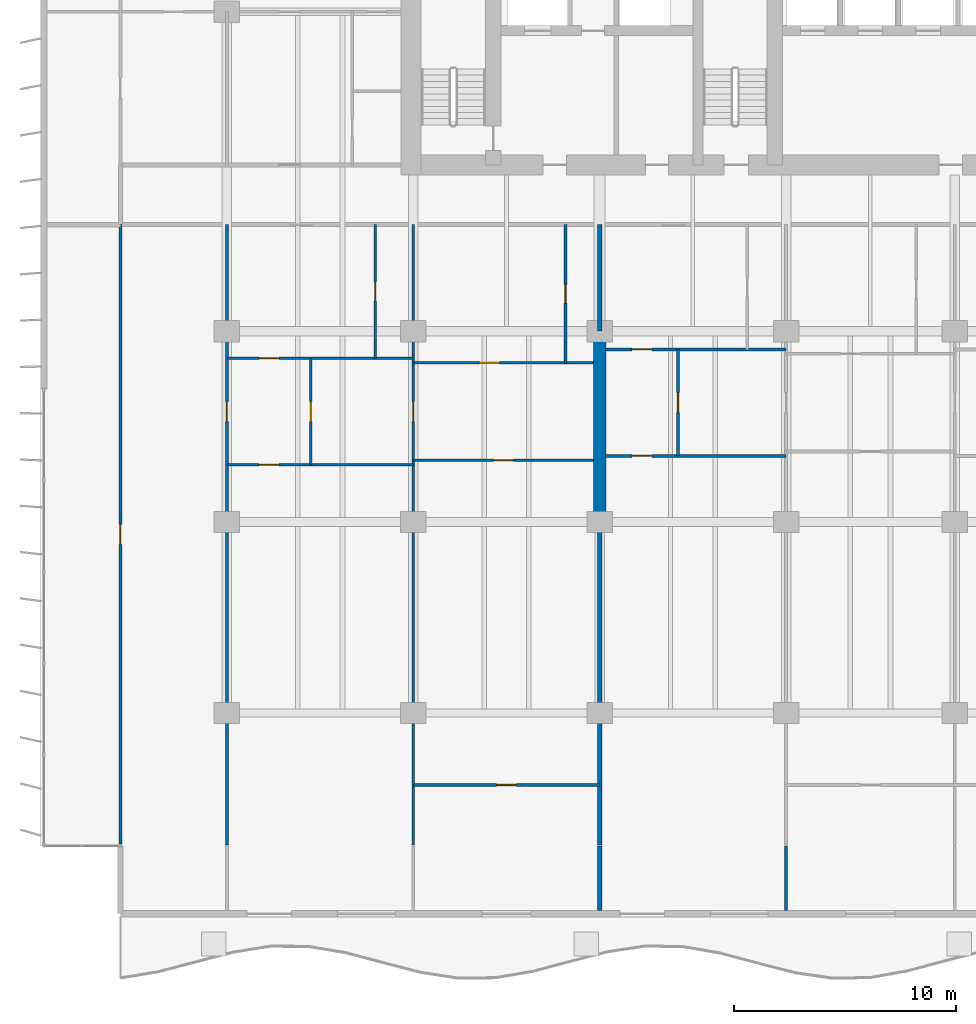
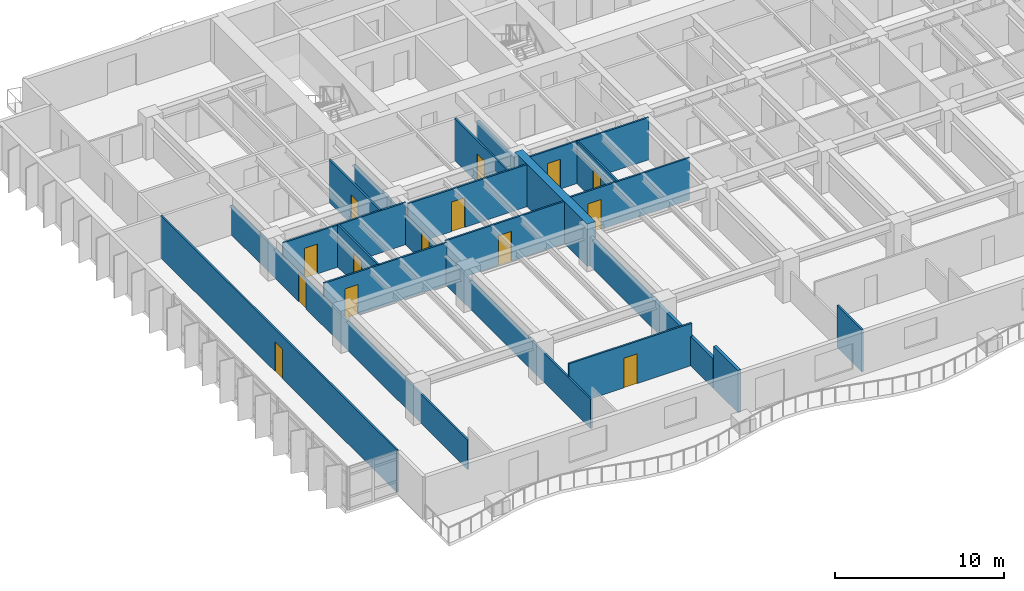
# One storey, part 6 of 16: 19 walls, 14 doors, 14 openings.
"""IFC4 building model written with IfcOpenShell, lengths in metres."""

from ifc_helpers import new_model, si_unit, direction, frame, frame_2d, origin, place, context, subcontext, project, spatial, rectangle, extrude, material, layer, layer_set, type_object, element, fill, save


model = new_model("IFC4")

# Units and contexts
model_context = context("Model", 3, precision=1e-05, world=origin(), true_north=direction((0.0, 1.0)))
body_context = subcontext(model_context, "Body", "Model", "MODEL_VIEW")
ifc_project = project(units=[si_unit("LENGTHUNIT", "METRE"), si_unit("AREAUNIT", "SQUARE_METRE"), si_unit("VOLUMEUNIT", "CUBIC_METRE"), si_unit("PLANEANGLEUNIT", "RADIAN"), si_unit("MASSUNIT", "GRAM", prefix="KILO")], contexts=[model_context])

# Site, building, storey
site_placement = place(None, origin())
site = spatial("IfcSite", under=ifc_project, at=site_placement, CompositionType="ELEMENT")
building_placement = place(site_placement, origin())
building = spatial("IfcBuilding", under=site, at=building_placement, Name="Caelmar Bay Residences", CompositionType="ELEMENT")
storey_placement = place(building_placement, frame((0.0, 0.0, 72.89990234375)))
storey = spatial("IfcBuildingStorey", under=building, at=storey_placement, Name="L19", CompositionType="ELEMENT", Elevation=72.89990234375)

# Wall
ifc_material_1 = material(Name="Concrete f'c 70 MPa (10,000 psi)", Category="concrete")
ifc_layer_1 = layer(ifc_material_1, 0.550048828125)
ifc_layer_set_1 = layer_set([ifc_layer_1], Name="Concrete f'c 70 MPa (10,000 psi)")
wall_type_1 = type_object("IfcWallType", Name="SW-XSLB-550", PredefinedType="SHEAR", material=ifc_layer_set_1)
wall_1_placement = place(storey_placement, frame((26.699951171875, 20.800048828125, 0.0), z_axis=(0.0, 0.0, 1.0), x_axis=(0.0, 1.0, 0.0)))
element("IfcWall", 1, at=wall_1_placement, inside=storey, type_object=wall_type_1, Name="L19 Transverse Cross-Slab Shear Wall W5", PredefinedType="SHEAR", context=body_context, shape_type="SweptSolid", body=[
    extrude(rectangle(XDim=8.599853515625, YDim=0.550048828125, at=frame_2d((4.2998046875, 0.0))), origin(), (0.0, 0.0, 1.0), 3.050048828125),
])

# Wall, opening, door
ifc_material_2 = material(Name="Acoustic metal-stud gypsum partition 120 mm")
ifc_layer_2 = layer(ifc_material_2, 0.1201171875)
ifc_layer_set_2 = layer_set([ifc_layer_2], Name="Acoustic metal-stud gypsum partition 120 mm")
wall_type_2 = type_object("IfcWallType", Name="W-PRT-120", PredefinedType="PARTITIONING", material=ifc_layer_set_2)
wall_2_placement = place(storey_placement, frame((5.10009765625, 6.284912109375, 0.0), z_axis=(0.0, 0.0, 1.0), x_axis=(0.0, 1.0, 0.0)))
wall_2 = element("IfcWall", 2, at=wall_2_placement, inside=storey, type_object=wall_type_2, Name="L19 Partition Wall V001", PredefinedType="PARTITIONING", context=body_context, shape_type="SweptSolid", body=[
    extrude(rectangle(XDim=27.9150390625, YDim=0.1201171875, at=frame_2d((13.95751953125, 0.0))), origin(), (0.0, 0.0, 1.0), 3.050048828125),
])
opening_1_placement = place(wall_2_placement, frame((13.507568359375, 0.0, 0.0)))
opening_1 = element("IfcOpeningElement", 3, at=opening_1_placement, cuts=wall_2, Name="Opening D-L19-156", PredefinedType="OPENING", context=body_context, shape_type="SweptSolid", body=[
    extrude(rectangle(XDim=0.89990234375, YDim=2.14990234375, at=frame_2d((0.449951171875, 1.074951171875))), frame((0.0, 0.070068359375, 0.0), z_axis=(0.0, -1.0, 0.0), x_axis=(1.0, 0.0, 0.0)), (0.0, 0.0, 1.0), 0.14013671875),
])
ifc_material_3 = material(Name="Solid walnut timber interior door leaf and frame", Category="wood")
ifc_layer_3 = layer(ifc_material_3, 0.050048828125)
ifc_layer_set_3 = layer_set([ifc_layer_3], Name="Solid walnut timber interior door leaf and frame")
door_type_1 = type_object("IfcDoorType", Name="D-ROOM-900", OperationType="NOTDEFINED", PredefinedType="DOOR", material=ifc_layer_set_3)
door_1_placement = place(opening_1_placement, origin())
door_1 = element("IfcDoor", 4, at=door_1_placement, inside=storey, type_object=door_type_1, Name="L19 Residence 01 Penthouse West Salon Door", OperationType="SINGLE_SWING_LEFT", OverallHeight=2.14990234375, OverallWidth=0.89990234375, PredefinedType="DOOR", context=body_context, shape_type="SweptSolid", body=[
    extrude(rectangle(XDim=0.89990234375, YDim=2.14990234375, at=frame_2d((0.449951171875, 1.074951171875))), frame((0.0, 0.02490234375, 0.0), z_axis=(0.0, -1.0, 0.0), x_axis=(1.0, 0.0, 0.0)), (0.0, 0.0, 1.0), 0.050048828125),
])
fill(opening_1, door_1)

wall_3_placement = place(storey_placement, frame((9.89990234375, 6.239990234375, 0.0), z_axis=(0.0, 0.0, 1.0), x_axis=(0.0, 1.0, 0.0)))
wall_3 = element("IfcWall", 5, at=wall_3_placement, inside=storey, type_object=wall_type_2, Name="L19 Partition Wall V005", PredefinedType="PARTITIONING", context=body_context, shape_type="SweptSolid", body=[
    extrude(rectangle(XDim=27.9599609375, YDim=0.1201171875, at=frame_2d((13.97998046875, 0.0))), origin(), (0.0, 0.0, 1.0), 2.110107421875),
])
opening_2_placement = place(wall_3_placement, frame((19.090087890625, 0.0, 0.0)))
opening_2 = element("IfcOpeningElement", 6, at=opening_2_placement, cuts=wall_3, Name="Opening D-L19-129", PredefinedType="OPENING", context=body_context, shape_type="SweptSolid", body=[
    extrude(rectangle(XDim=0.89990234375, YDim=2.06005859375, at=frame_2d((0.449951171875, 1.030029296875))), frame((0.0, 0.070068359375, 0.0), z_axis=(0.0, -1.0, 0.0), x_axis=(1.0, 0.0, 0.0)), (0.0, 0.0, 1.0), 0.14013671875),
])
door_2_placement = place(opening_2_placement, origin())
door_2 = element("IfcDoor", 7, at=door_2_placement, inside=storey, type_object=door_type_1, Name="L19 Residence 01 West Apartment Hall Door", OperationType="SINGLE_SWING_RIGHT", OverallHeight=2.06005859375, OverallWidth=0.89990234375, PredefinedType="DOOR", context=body_context, shape_type="SweptSolid", body=[
    extrude(rectangle(XDim=0.89990234375, YDim=2.06005859375, at=frame_2d((0.449951171875, 1.030029296875))), frame((0.0, 0.02490234375, 0.0), z_axis=(0.0, -1.0, 0.0), x_axis=(1.0, 0.0, 0.0)), (0.0, 0.0, 1.0), 0.050048828125),
])
fill(opening_2, door_2)

wall_4_placement = place(storey_placement, frame((13.679931640625, 23.3798828125, 0.0), z_axis=(0.0, 0.0, 1.0), x_axis=(0.0, 1.0, 0.0)))
wall_4 = element("IfcWall", 8, at=wall_4_placement, inside=storey, type_object=wall_type_2, Name="L19 Partition Wall V007", PredefinedType="PARTITIONING", context=body_context, shape_type="SweptSolid", body=[
    extrude(rectangle(XDim=4.800048828125, YDim=0.1201171875, at=frame_2d((2.39990234375, 0.0))), origin(), (0.0, 0.0, 1.0), 3.050048828125),
])
opening_3_placement = place(wall_4_placement, frame((1.949951171875, 0.0, 0.0)))
opening_3 = element("IfcOpeningElement", 9, at=opening_3_placement, cuts=wall_4, Name="Opening D-L19-122", PredefinedType="OPENING", context=body_context, shape_type="SweptSolid", body=[
    extrude(rectangle(XDim=0.89990234375, YDim=2.14990234375, at=frame_2d((0.449951171875, 1.074951171875))), frame((0.0, 0.070068359375, 0.0), z_axis=(0.0, -1.0, 0.0), x_axis=(1.0, 0.0, 0.0)), (0.0, 0.0, 1.0), 0.14013671875),
])
door_3_placement = place(opening_3_placement, origin())
door_3 = element("IfcDoor", 10, at=door_3_placement, inside=storey, type_object=door_type_1, Name="L19 Residence 01 Kitchen Door", OperationType="SINGLE_SWING_LEFT", OverallHeight=2.14990234375, OverallWidth=0.89990234375, PredefinedType="DOOR", context=body_context, shape_type="SweptSolid", body=[
    extrude(rectangle(XDim=0.89990234375, YDim=2.14990234375, at=frame_2d((0.449951171875, 1.074951171875))), frame((0.0, 0.02490234375, 0.0), z_axis=(0.0, -1.0, 0.0), x_axis=(1.0, 0.0, 0.0)), (0.0, 0.0, 1.0), 0.050048828125),
])
fill(opening_3, door_3)

wall_5_placement = place(storey_placement, frame((16.589111328125, 28.179931640625, 0.0), z_axis=(0.0, 0.0, 1.0), x_axis=(0.0, 1.0, 0.0)))
wall_5 = element("IfcWall", 11, at=wall_5_placement, inside=storey, type_object=wall_type_2, Name="L19 Partition Wall V009", PredefinedType="PARTITIONING", context=body_context, shape_type="SweptSolid", body=[
    extrude(rectangle(XDim=6.02001953125, YDim=0.1201171875, at=frame_2d((3.010009765625, 0.0))), origin(), (0.0, 0.0, 1.0), 3.050048828125),
])
opening_4_placement = place(wall_5_placement, frame((2.5849609375, 0.0, 0.0)))
opening_4 = element("IfcOpeningElement", 12, at=opening_4_placement, cuts=wall_5, Name="Opening D-L19-120", PredefinedType="OPENING", context=body_context, shape_type="SweptSolid", body=[
    extrude(rectangle(XDim=0.85009765625, YDim=2.10009765625, at=frame_2d((0.425048828125, 1.050048828125))), frame((0.0, 0.070068359375, 0.0), z_axis=(0.0, -1.0, 0.0), x_axis=(1.0, 0.0, 0.0)), (0.0, 0.0, 1.0), 0.14013671875),
])
ifc_layer_4 = layer(ifc_material_3, 0.050048828125)
ifc_layer_set_4 = layer_set([ifc_layer_4], Name="Solid walnut timber interior door leaf and frame")
door_type_2 = type_object("IfcDoorType", Name="D-BATH-850", OperationType="NOTDEFINED", PredefinedType="DOOR", material=ifc_layer_set_4)
door_4_placement = place(opening_4_placement, origin())
door_4 = element("IfcDoor", 13, at=door_4_placement, inside=storey, type_object=door_type_2, Name="L19 Residence 01 Guest Bathroom Door", OperationType="SINGLE_SWING_LEFT", OverallHeight=2.10009765625, OverallWidth=0.85009765625, PredefinedType="DOOR", context=body_context, shape_type="SweptSolid", body=[
    extrude(rectangle(XDim=0.85009765625, YDim=2.10009765625, at=frame_2d((0.425048828125, 1.050048828125))), frame((0.0, 0.02490234375, 0.0), z_axis=(0.0, -1.0, 0.0), x_axis=(1.0, 0.0, 0.0)), (0.0, 0.0, 1.0), 0.050048828125),
])
fill(opening_4, door_4)

wall_6_placement = place(storey_placement, frame((18.300048828125, 6.239990234375, 0.0), z_axis=(0.0, 0.0, 1.0), x_axis=(0.0, 1.0, 0.0)))
wall_6 = element("IfcWall", 14, at=wall_6_placement, inside=storey, type_object=wall_type_2, Name="L19 Partition Wall V011", PredefinedType="PARTITIONING", context=body_context, shape_type="SweptSolid", body=[
    extrude(rectangle(XDim=27.9599609375, YDim=0.1201171875, at=frame_2d((13.97998046875, 0.0))), origin(), (0.0, 0.0, 1.0), 2.110107421875),
])
opening_5_placement = place(wall_6_placement, frame((19.090087890625, 0.0, 0.0)))
opening_5 = element("IfcOpeningElement", 15, at=opening_5_placement, cuts=wall_6, Name="Opening D-L19-124", PredefinedType="OPENING", context=body_context, shape_type="SweptSolid", body=[
    extrude(rectangle(XDim=0.89990234375, YDim=2.06005859375, at=frame_2d((0.449951171875, 1.030029296875))), frame((0.0, 0.070068359375, 0.0), z_axis=(0.0, -1.0, 0.0), x_axis=(1.0, 0.0, 0.0)), (0.0, 0.0, 1.0), 0.14013671875),
])
door_5_placement = place(opening_5_placement, origin())
door_5 = element("IfcDoor", 16, at=door_5_placement, inside=storey, type_object=door_type_1, Name="L19 Residence 01 Reception Lounge 1 Door", OperationType="SINGLE_SWING_LEFT", OverallHeight=2.06005859375, OverallWidth=0.89990234375, PredefinedType="DOOR", context=body_context, shape_type="SweptSolid", body=[
    extrude(rectangle(XDim=0.89990234375, YDim=2.06005859375, at=frame_2d((0.449951171875, 1.030029296875))), frame((0.0, 0.02490234375, 0.0), z_axis=(0.0, -1.0, 0.0), x_axis=(1.0, 0.0, 0.0)), (0.0, 0.0, 1.0), 0.050048828125),
])
fill(opening_5, door_5)

wall_7_placement = place(storey_placement, frame((25.156982421875, 27.97998046875, 0.0), z_axis=(0.0, 0.0, 1.0), x_axis=(0.0, 1.0, 0.0)))
wall_7 = element("IfcWall", 17, at=wall_7_placement, inside=storey, type_object=wall_type_2, Name="L19 Partition Wall V013", PredefinedType="PARTITIONING", context=body_context, shape_type="SweptSolid", body=[
    extrude(rectangle(XDim=6.219970703125, YDim=0.1201171875, at=frame_2d((3.10986328125, 0.0))), origin(), (0.0, 0.0, 1.0), 3.050048828125),
])
opening_6_placement = place(wall_7_placement, frame((2.68505859375, 0.0, 0.0)))
opening_6 = element("IfcOpeningElement", 18, at=opening_6_placement, cuts=wall_7, Name="Opening D-L19-126", PredefinedType="OPENING", context=body_context, shape_type="SweptSolid", body=[
    extrude(rectangle(XDim=0.85009765625, YDim=2.10009765625, at=frame_2d((0.425048828125, 1.050048828125))), frame((0.0, 0.070068359375, 0.0), z_axis=(0.0, -1.0, 0.0), x_axis=(1.0, 0.0, 0.0)), (0.0, 0.0, 1.0), 0.14013671875),
])
door_6_placement = place(opening_6_placement, origin())
door_6 = element("IfcDoor", 19, at=door_6_placement, inside=storey, type_object=door_type_2, Name="L19 Residence 01 En-Suite Bathroom 1 Door", OperationType="SINGLE_SWING_LEFT", OverallHeight=2.10009765625, OverallWidth=0.85009765625, PredefinedType="DOOR", context=body_context, shape_type="SweptSolid", body=[
    extrude(rectangle(XDim=0.85009765625, YDim=2.10009765625, at=frame_2d((0.425048828125, 1.050048828125))), frame((0.0, 0.02490234375, 0.0), z_axis=(0.0, -1.0, 0.0), x_axis=(1.0, 0.0, 0.0)), (0.0, 0.0, 1.0), 0.050048828125),
])
fill(opening_6, door_6)

wall_8_placement = place(storey_placement, frame((30.22802734375, 23.780029296875, 0.0), z_axis=(0.0, 0.0, 1.0), x_axis=(0.0, 1.0, 0.0)))
wall_8 = element("IfcWall", 20, at=wall_8_placement, inside=storey, type_object=wall_type_2, Name="L19 Partition Wall V020", PredefinedType="PARTITIONING", context=body_context, shape_type="SweptSolid", body=[
    extrude(rectangle(XDim=4.800048828125, YDim=0.1201171875, at=frame_2d((2.39990234375, 0.0))), origin(), (0.0, 0.0, 1.0), 3.050048828125),
])
opening_7_placement = place(wall_8_placement, frame((1.949951171875, 0.0, 0.0)))
opening_7 = element("IfcOpeningElement", 21, at=opening_7_placement, cuts=wall_8, Name="Opening D-L19-133", PredefinedType="OPENING", context=body_context, shape_type="SweptSolid", body=[
    extrude(rectangle(XDim=0.89990234375, YDim=2.14990234375, at=frame_2d((0.449951171875, 1.074951171875))), frame((0.0, 0.070068359375, 0.0), z_axis=(0.0, -1.0, 0.0), x_axis=(1.0, 0.0, 0.0)), (0.0, 0.0, 1.0), 0.14013671875),
])
door_7_placement = place(opening_7_placement, origin())
door_7 = element("IfcDoor", 22, at=door_7_placement, inside=storey, type_object=door_type_1, Name="L19 Residence 02 Kitchen Door", OperationType="SINGLE_SWING_RIGHT", OverallHeight=2.14990234375, OverallWidth=0.89990234375, PredefinedType="DOOR", context=body_context, shape_type="SweptSolid", body=[
    extrude(rectangle(XDim=0.89990234375, YDim=2.14990234375, at=frame_2d((0.449951171875, 1.074951171875))), frame((0.0, 0.02490234375, 0.0), z_axis=(0.0, -1.0, 0.0), x_axis=(1.0, 0.0, 0.0)), (0.0, 0.0, 1.0), 0.050048828125),
])
fill(opening_7, door_7)

# Wall
wall_9_placement = place(storey_placement, frame((35.10009765625, 3.294921875, 0.0), z_axis=(0.0, 0.0, 1.0), x_axis=(0.0, 1.0, 0.0)))
element("IfcWall", 23, at=wall_9_placement, inside=storey, type_object=wall_type_2, Name="L19 Partition Wall V022", PredefinedType="PARTITIONING", context=body_context, shape_type="SweptSolid", body=[
    extrude(rectangle(XDim=2.905029296875, YDim=0.1201171875, at=frame_2d((1.45263671875, 0.0))), origin(), (0.0, 0.0, 1.0), 3.050048828125),
])

# Wall, opening, door
wall_10_placement = place(storey_placement, frame((18.300048828125, 8.949951171875, 0.0), z_axis=(0.0, 0.0, 1.0), x_axis=(1.0, 0.0, 0.0)))
wall_10 = element("IfcWall", 24, at=wall_10_placement, inside=storey, type_object=wall_type_2, Name="L19 Partition Wall H053", PredefinedType="PARTITIONING", context=body_context, shape_type="SweptSolid", body=[
    extrude(rectangle(XDim=8.39990234375, YDim=0.1201171875, at=frame_2d((4.199951171875, 0.0))), origin(), (0.0, 0.0, 1.0), 3.050048828125),
])
opening_8_placement = place(wall_10_placement, frame((3.75, 0.0, 0.0)))
opening_8 = element("IfcOpeningElement", 25, at=opening_8_placement, cuts=wall_10, Name="Opening D-L19-128", PredefinedType="OPENING", context=body_context, shape_type="SweptSolid", body=[
    extrude(rectangle(XDim=0.89990234375, YDim=2.14990234375, at=frame_2d((0.449951171875, 1.074951171875))), frame((0.0, 0.070068359375, 0.0), z_axis=(0.0, -1.0, 0.0), x_axis=(1.0, 0.0, 0.0)), (0.0, 0.0, 1.0), 0.14013671875),
])
door_8_placement = place(opening_8_placement, origin())
door_8 = element("IfcDoor", 26, at=door_8_placement, inside=storey, type_object=door_type_1, Name="L19 Residence 01 Primary Bedroom 1 Door", OperationType="SINGLE_SWING_LEFT", OverallHeight=2.14990234375, OverallWidth=0.89990234375, PredefinedType="DOOR", context=body_context, shape_type="SweptSolid", body=[
    extrude(rectangle(XDim=0.89990234375, YDim=2.14990234375, at=frame_2d((0.449951171875, 1.074951171875))), frame((0.0, 0.02490234375, 0.0), z_axis=(0.0, -1.0, 0.0), x_axis=(1.0, 0.0, 0.0)), (0.0, 0.0, 1.0), 0.050048828125),
])
fill(opening_8, door_8)

wall_11_placement = place(storey_placement, frame((9.89990234375, 23.3798828125, 0.0), z_axis=(0.0, 0.0, 1.0), x_axis=(1.0, 0.0, 0.0)))
wall_11 = element("IfcWall", 27, at=wall_11_placement, inside=storey, type_object=wall_type_2, Name="L19 Partition Wall H056", PredefinedType="PARTITIONING", context=body_context, shape_type="SweptSolid", body=[
    extrude(rectangle(XDim=8.400146484375, YDim=0.1201171875, at=frame_2d((4.2001953125, 0.0))), origin(), (0.0, 0.0, 1.0), 3.050048828125),
])
opening_9_placement = place(wall_11_placement, frame((1.43994140625, 0.0, 0.0)))
opening_9 = element("IfcOpeningElement", 28, at=opening_9_placement, cuts=wall_11, Name="Opening D-L19-123", PredefinedType="OPENING", context=body_context, shape_type="SweptSolid", body=[
    extrude(rectangle(XDim=0.89990234375, YDim=2.14990234375, at=frame_2d((0.449951171875, 1.074951171875))), frame((0.0, 0.070068359375, 0.0), z_axis=(0.0, -1.0, 0.0), x_axis=(1.0, 0.0, 0.0)), (0.0, 0.0, 1.0), 0.14013671875),
])
door_9_placement = place(opening_9_placement, origin())
door_9 = element("IfcDoor", 29, at=door_9_placement, inside=storey, type_object=door_type_1, Name="L19 Residence 01 Penthouse Living Salon Door", OperationType="SINGLE_SWING_RIGHT", OverallHeight=2.14990234375, OverallWidth=0.89990234375, PredefinedType="DOOR", context=body_context, shape_type="SweptSolid", body=[
    extrude(rectangle(XDim=0.89990234375, YDim=2.14990234375, at=frame_2d((0.449951171875, 1.074951171875))), frame((0.0, 0.02490234375, 0.0), z_axis=(0.0, -1.0, 0.0), x_axis=(1.0, 0.0, 0.0)), (0.0, 0.0, 1.0), 0.050048828125),
])
fill(opening_9, door_9)

wall_12_placement = place(storey_placement, frame((18.304931640625, 23.580078125, 0.0), z_axis=(0.0, 0.0, 1.0), x_axis=(1.0, 0.0, 0.0)))
wall_12 = element("IfcWall", 30, at=wall_12_placement, inside=storey, type_object=wall_type_2, Name="L19 Partition Wall H058", PredefinedType="PARTITIONING", context=body_context, shape_type="SweptSolid", body=[
    extrude(rectangle(XDim=8.125, YDim=0.1201171875, at=frame_2d((4.0625, 0.0))), origin(), (0.0, 0.0, 1.0), 3.050048828125),
])
opening_10_placement = place(wall_12_placement, frame((3.612548828125, 0.0, 0.0)))
opening_10 = element("IfcOpeningElement", 31, at=opening_10_placement, cuts=wall_12, Name="Opening D-L19-127", PredefinedType="OPENING", context=body_context, shape_type="SweptSolid", body=[
    extrude(rectangle(XDim=0.89990234375, YDim=2.14990234375, at=frame_2d((0.449951171875, 1.074951171875))), frame((0.0, 0.070068359375, 0.0), z_axis=(0.0, -1.0, 0.0), x_axis=(1.0, 0.0, 0.0)), (0.0, 0.0, 1.0), 0.14013671875),
])
door_10_placement = place(opening_10_placement, origin())
door_10 = element("IfcDoor", 32, at=door_10_placement, inside=storey, type_object=door_type_1, Name="L19 Residence 01 Penthouse Sitting Salon 1 Door", OperationType="SINGLE_SWING_RIGHT", OverallHeight=2.14990234375, OverallWidth=0.89990234375, PredefinedType="DOOR", context=body_context, shape_type="SweptSolid", body=[
    extrude(rectangle(XDim=0.89990234375, YDim=2.14990234375, at=frame_2d((0.449951171875, 1.074951171875))), frame((0.0, 0.02490234375, 0.0), z_axis=(0.0, -1.0, 0.0), x_axis=(1.0, 0.0, 0.0)), (0.0, 0.0, 1.0), 0.050048828125),
])
fill(opening_10, door_10)

wall_13_placement = place(storey_placement, frame((26.969970703125, 23.780029296875, 0.0), z_axis=(0.0, 0.0, 1.0), x_axis=(1.0, 0.0, 0.0)))
wall_13 = element("IfcWall", 33, at=wall_13_placement, inside=storey, type_object=wall_type_2, Name="L19 Partition Wall H060", PredefinedType="PARTITIONING", context=body_context, shape_type="SweptSolid", body=[
    extrude(rectangle(XDim=8.130126953125, YDim=0.1201171875, at=frame_2d((4.06494140625, 0.0))), origin(), (0.0, 0.0, 1.0), 3.050048828125),
])
opening_11_placement = place(wall_13_placement, frame((1.178955078125, 0.0, 0.0)))
opening_11 = element("IfcOpeningElement", 34, at=opening_11_placement, cuts=wall_13, Name="Opening D-L19-134", PredefinedType="OPENING", context=body_context, shape_type="SweptSolid", body=[
    extrude(rectangle(XDim=0.89990234375, YDim=2.14990234375, at=frame_2d((0.449951171875, 1.074951171875))), frame((0.0, 0.070068359375, 0.0), z_axis=(0.0, -1.0, 0.0), x_axis=(1.0, 0.0, 0.0)), (0.0, 0.0, 1.0), 0.14013671875),
])
door_11_placement = place(opening_11_placement, origin())
door_11 = element("IfcDoor", 35, at=door_11_placement, inside=storey, type_object=door_type_1, Name="L19 Residence 02 Penthouse Living Salon Door", OperationType="SINGLE_SWING_LEFT", OverallHeight=2.14990234375, OverallWidth=0.89990234375, PredefinedType="DOOR", context=body_context, shape_type="SweptSolid", body=[
    extrude(rectangle(XDim=0.89990234375, YDim=2.14990234375, at=frame_2d((0.449951171875, 1.074951171875))), frame((0.0, 0.02490234375, 0.0), z_axis=(0.0, -1.0, 0.0), x_axis=(1.0, 0.0, 0.0)), (0.0, 0.0, 1.0), 0.050048828125),
])
fill(opening_11, door_11)

wall_14_placement = place(storey_placement, frame((18.300048828125, 27.97998046875, 0.0), z_axis=(0.0, 0.0, 1.0), x_axis=(1.0, 0.0, 0.0)))
wall_14 = element("IfcWall", 36, at=wall_14_placement, inside=storey, type_object=wall_type_2, Name="L19 Partition Wall H063", PredefinedType="PARTITIONING", context=body_context, shape_type="SweptSolid", body=[
    extrude(rectangle(XDim=8.1298828125, YDim=0.1201171875, at=frame_2d((4.06494140625, 0.0))), origin(), (0.0, 0.0, 1.0), 3.050048828125),
])
opening_12_placement = place(wall_14_placement, frame((2.978515625, 0.0, 0.0)))
opening_12 = element("IfcOpeningElement", 37, at=opening_12_placement, cuts=wall_14, Name="Opening D-L19-125", PredefinedType="OPENING", context=body_context, shape_type="SweptSolid", body=[
    extrude(rectangle(XDim=0.89990234375, YDim=2.14990234375, at=frame_2d((0.449951171875, 1.074951171875))), frame((0.0, 0.070068359375, 0.0), z_axis=(0.0, -1.0, 0.0), x_axis=(1.0, 0.0, 0.0)), (0.0, 0.0, 1.0), 0.14013671875),
])
door_12_placement = place(opening_12_placement, origin())
door_12 = element("IfcDoor", 38, at=door_12_placement, inside=storey, type_object=door_type_1, Name="L19 Residence 01 Private Reception Room 1 Door", OperationType="SINGLE_SWING_RIGHT", OverallHeight=2.14990234375, OverallWidth=0.89990234375, PredefinedType="DOOR", context=body_context, shape_type="SweptSolid", body=[
    extrude(rectangle(XDim=0.89990234375, YDim=2.14990234375, at=frame_2d((0.449951171875, 1.074951171875))), frame((0.0, 0.02490234375, 0.0), z_axis=(0.0, -1.0, 0.0), x_axis=(1.0, 0.0, 0.0)), (0.0, 0.0, 1.0), 0.050048828125),
])
fill(opening_12, door_12)

wall_15_placement = place(storey_placement, frame((9.89990234375, 28.179931640625, 0.0), z_axis=(0.0, 0.0, 1.0), x_axis=(1.0, 0.0, 0.0)))
wall_15 = element("IfcWall", 39, at=wall_15_placement, inside=storey, type_object=wall_type_2, Name="L19 Partition Wall H065", PredefinedType="PARTITIONING", context=body_context, shape_type="SweptSolid", body=[
    extrude(rectangle(XDim=8.39501953125, YDim=0.1201171875, at=frame_2d((4.197509765625, 0.0))), origin(), (0.0, 0.0, 1.0), 3.050048828125),
])
opening_13_placement = place(wall_15_placement, frame((1.43994140625, 0.0, 0.0)))
opening_13 = element("IfcOpeningElement", 40, at=opening_13_placement, cuts=wall_15, Name="Opening D-L19-121", PredefinedType="OPENING", context=body_context, shape_type="SweptSolid", body=[
    extrude(rectangle(XDim=0.89990234375, YDim=2.14990234375, at=frame_2d((0.449951171875, 1.074951171875))), frame((0.0, 0.070068359375, 0.0), z_axis=(0.0, -1.0, 0.0), x_axis=(1.0, 0.0, 0.0)), (0.0, 0.0, 1.0), 0.14013671875),
])
door_13_placement = place(opening_13_placement, origin())
door_13 = element("IfcDoor", 41, at=door_13_placement, inside=storey, type_object=door_type_1, Name="L19 Residence 01 Dining Room Door", OperationType="SINGLE_SWING_RIGHT", OverallHeight=2.14990234375, OverallWidth=0.89990234375, PredefinedType="DOOR", context=body_context, shape_type="SweptSolid", body=[
    extrude(rectangle(XDim=0.89990234375, YDim=2.14990234375, at=frame_2d((0.449951171875, 1.074951171875))), frame((0.0, 0.02490234375, 0.0), z_axis=(0.0, -1.0, 0.0), x_axis=(1.0, 0.0, 0.0)), (0.0, 0.0, 1.0), 0.050048828125),
])
fill(opening_13, door_13)

wall_16_placement = place(storey_placement, frame((26.969970703125, 28.580078125, 0.0), z_axis=(0.0, 0.0, 1.0), x_axis=(1.0, 0.0, 0.0)))
wall_16 = element("IfcWall", 42, at=wall_16_placement, inside=storey, type_object=wall_type_2, Name="L19 Partition Wall H068", PredefinedType="PARTITIONING", context=body_context, shape_type="SweptSolid", body=[
    extrude(rectangle(XDim=8.125, YDim=0.1201171875, at=frame_2d((4.0625, 0.0))), origin(), (0.0, 0.0, 1.0), 3.050048828125),
])
opening_14_placement = place(wall_16_placement, frame((1.178955078125, 0.0, 0.0)))
opening_14 = element("IfcOpeningElement", 43, at=opening_14_placement, cuts=wall_16, Name="Opening D-L19-132", PredefinedType="OPENING", context=body_context, shape_type="SweptSolid", body=[
    extrude(rectangle(XDim=0.89990234375, YDim=2.14990234375, at=frame_2d((0.449951171875, 1.074951171875))), frame((0.0, 0.070068359375, 0.0), z_axis=(0.0, -1.0, 0.0), x_axis=(1.0, 0.0, 0.0)), (0.0, 0.0, 1.0), 0.14013671875),
])
door_14_placement = place(opening_14_placement, origin())
door_14 = element("IfcDoor", 44, at=door_14_placement, inside=storey, type_object=door_type_1, Name="L19 Residence 02 Dining Room Door", OperationType="SINGLE_SWING_LEFT", OverallHeight=2.14990234375, OverallWidth=0.89990234375, PredefinedType="DOOR", context=body_context, shape_type="SweptSolid", body=[
    extrude(rectangle(XDim=0.89990234375, YDim=2.14990234375, at=frame_2d((0.449951171875, 1.074951171875))), frame((0.0, 0.02490234375, 0.0), z_axis=(0.0, -1.0, 0.0), x_axis=(1.0, 0.0, 0.0)), (0.0, 0.0, 1.0), 0.050048828125),
])
fill(opening_14, door_14)

# Walls
ifc_material_4 = material(Name="Acoustic twin-stud fire-rated inter-tenancy partition 200 mm")
ifc_layer_5 = layer(ifc_material_4, 0.199951171875)
ifc_layer_set_5 = layer_set([ifc_layer_5], Name="Acoustic twin-stud fire-rated inter-tenancy partition 200 mm")
wall_type_3 = type_object("IfcWallType", Name="W-PTY-200", PredefinedType="PARTITIONING", material=ifc_layer_set_5)
wall_17_placement = place(storey_placement, frame((26.699951171875, 3.294921875, 0.0), z_axis=(0.0, 0.0, 1.0), x_axis=(0.0, 1.0, 0.0)))
element("IfcWall", 45, at=wall_17_placement, inside=storey, type_object=wall_type_3, Name="L19 Partition Wall V015", PredefinedType="PARTITIONING", context=body_context, shape_type="SweptSolid", body=[
    extrude(rectangle(XDim=2.905029296875, YDim=0.199951171875, at=frame_2d((1.45263671875, 0.0))), origin(), (0.0, 0.0, 1.0), 3.050048828125),
])
wall_18_placement = place(storey_placement, frame((26.699951171875, 6.239990234375, 0.0), z_axis=(0.0, 0.0, 1.0), x_axis=(0.0, 1.0, 0.0)))
element("IfcWall", 46, at=wall_18_placement, inside=storey, type_object=wall_type_3, Name="L19 Partition Wall V016", PredefinedType="PARTITIONING", context=body_context, shape_type="SweptSolid", body=[
    extrude(rectangle(XDim=14.554931640625, YDim=0.199951171875, at=frame_2d((7.27734375, 0.0))), origin(), (0.0, 0.0, 1.0), 2.110107421875),
])
wall_19_placement = place(storey_placement, frame((26.699951171875, 29.405029296875, 0.0), z_axis=(0.0, 0.0, 1.0), x_axis=(0.0, 1.0, 0.0)))
element("IfcWall", 47, at=wall_19_placement, inside=storey, type_object=wall_type_3, Name="L19 Partition Wall V017", PredefinedType="PARTITIONING", context=body_context, shape_type="SweptSolid", body=[
    extrude(rectangle(XDim=4.794921875, YDim=0.199951171875, at=frame_2d((2.3974609375, 0.0))), origin(), (0.0, 0.0, 1.0), 2.335205078125),
])

save(model, "model.ifc")
